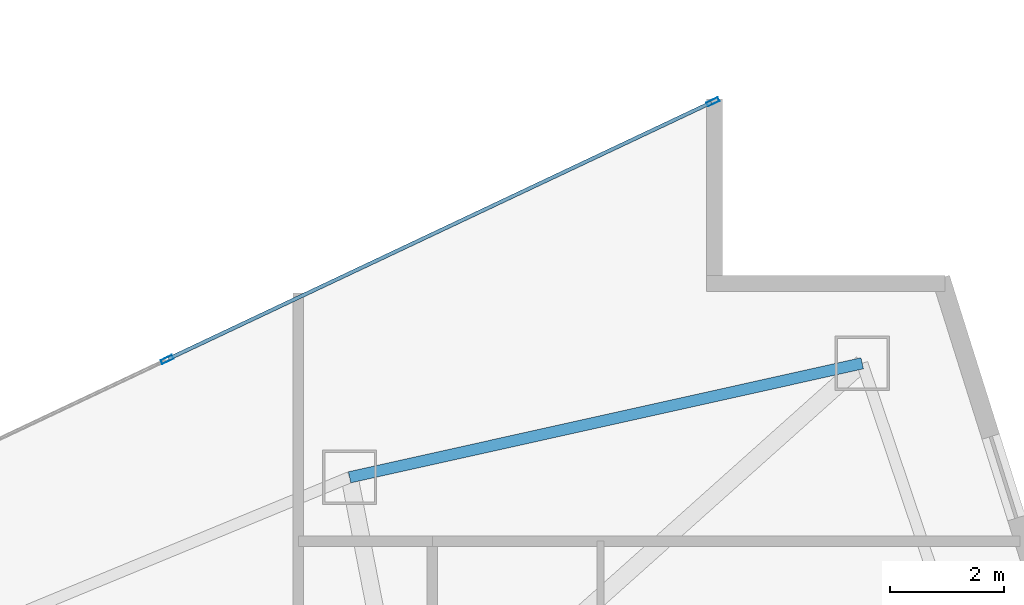
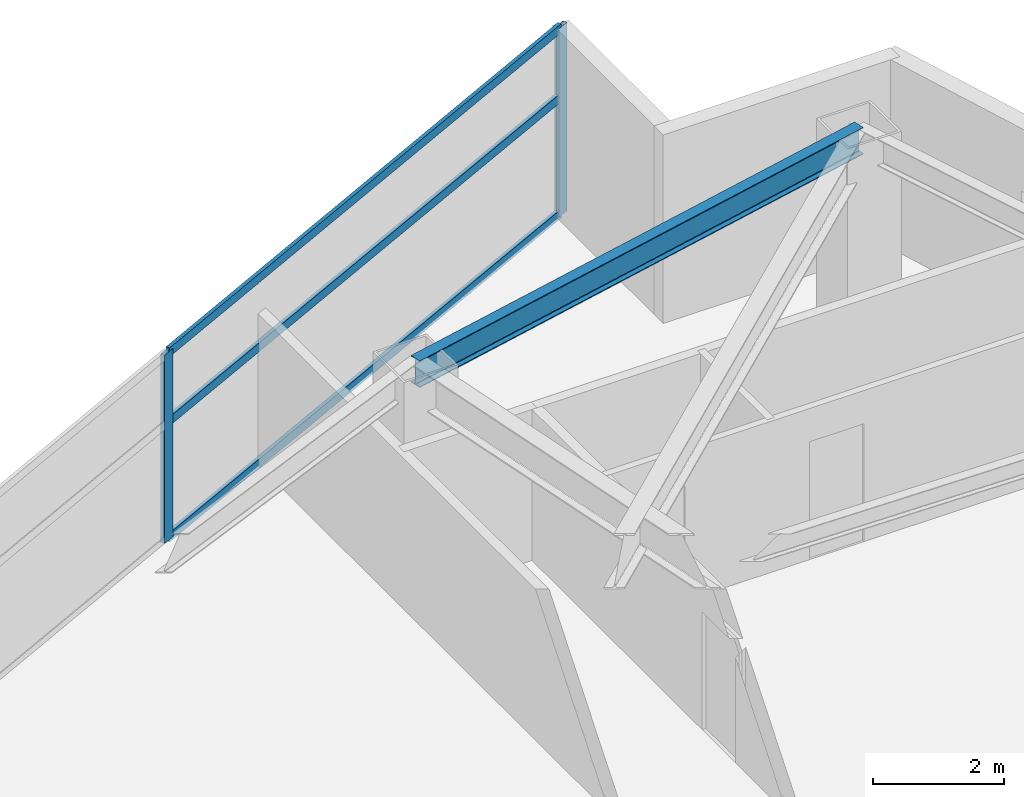
# One storey, part 19 of 28: 5 members, 1 beam, 1 element without a shape of its own.
"""IFC4 building model written with IfcOpenShell, lengths in metres."""

from ifc_helpers import new_model, si_unit, direction, frame, origin, origin_2d, place, context, subcontext, project, spatial, hollow_rectangle, i_section, extrude, material, layer, layer_set, material_profile, profile_set, type_object, element, aggregate, save


model = new_model("IFC4")

# Units and contexts
model_context = context("Model", 3, precision=1e-05, world=origin(), true_north=direction((0.0, 1.0)))
body_context = subcontext(model_context, "Body", "Model", "MODEL_VIEW")
ifc_project = project(units=[si_unit("LENGTHUNIT", "METRE"), si_unit("AREAUNIT", "SQUARE_METRE"), si_unit("VOLUMEUNIT", "CUBIC_METRE"), si_unit("PLANEANGLEUNIT", "RADIAN"), si_unit("MASSUNIT", "GRAM", prefix="KILO")], contexts=[model_context])

# Site, building, storey
site_placement = place(None, origin())
site = spatial("IfcSite", under=ifc_project, at=site_placement, CompositionType="ELEMENT")
building_placement = place(site_placement, origin())
building = spatial("IfcBuilding", under=site, at=building_placement, Name="Calvorn Quay Hotel", CompositionType="ELEMENT")
storey_placement = place(building_placement, frame((0.0, 0.0, 88.800048828125)))
storey = spatial("IfcBuildingStorey", under=building, at=storey_placement, Name="L21", CompositionType="ELEMENT", Elevation=88.800048828125)

# Beam
ifc_material_1 = material(Name="Steel Q355B", Category="steel")
ifc_material_profile_1 = material_profile(ifc_material_1, i_section(OverallWidth=0.199951171875, OverallDepth=0.5, WebThickness=0.010009765625, FlangeThickness=0.01611328125, FilletRadius=0.01611328125, at=origin_2d()), Name="HN500x200x10x16")
ifc_profile_set_1 = profile_set([ifc_material_profile_1], Name="Steel Q355B")
beam_type = type_object("IfcBeamType", Name="BM-SPANDREL-Z1", PredefinedType="SPANDREL", material=ifc_profile_set_1)
beam_placement = place(storey_placement, frame((52.990966796875, 33.39990234375, 3.27001953125), z_axis=(-0.976140886259, -0.217138136156, 0.0), x_axis=(0.217138136156, -0.976140886259, 0.0)))
element("IfcBeam", 1, at=beam_placement, inside=storey, type_object=beam_type, Name="Beam BSP-L21-E3", PredefinedType="SPANDREL", context=body_context, shape_type="SweptSolid", body=[
    extrude(i_section(OverallWidth=0.199951171875, OverallDepth=0.5, WebThickness=0.010009765625, FlangeThickness=0.01611328125, FilletRadius=0.01611328125, at=origin_2d()), origin(), (0.0, 0.0, 1.0), 9.210693359375),
])

# Curtain wall, members
ifc_material_2 = material(Name="Pale Anodised Aluminium and Low-E Glass", Category="aluminium")
ifc_layer = layer(ifc_material_2, 0.219970703125)
ifc_layer_set = layer_set([ifc_layer], Name="CW-SYS-Z1")
curtain_wall_type = type_object("IfcCurtainWallType", Name="CW-SYS-Z1", PredefinedType="NOTDEFINED", material=ifc_layer_set)
curtain_wall_placement = place(storey_placement, origin())
curtain_wall = element("IfcCurtainWall", 2, at=curtain_wall_placement, inside=storey, type_object=curtain_wall_type, Name="Inner Court Curtain Wall L21-NE1", PredefinedType="NOTDEFINED")
ifc_material_3 = material(Name="Pale Anodised Aluminium 6063-T6", Category="aluminium")
ifc_material_profile_2 = material_profile(ifc_material_3, hollow_rectangle(XDim=0.074951171875, YDim=0.219970703125, WallThickness=0.00439453125, at=origin_2d()), Name="ALU-M220x75x4.5")
ifc_profile_set_2 = profile_set([ifc_material_profile_2], Name="Pale Anodised Aluminium 6063-T6")
member_type_1 = type_object("IfcMemberType", Name="CW-SYS-Z1-MUL", PredefinedType="MULLION", material=ifc_profile_set_2)
member_1_placement = place(storey_placement, frame((50.372802734375, 37.9873046875, 0.0), z_axis=(0.0, 0.0, 1.0), x_axis=(0.427006305415, -0.904248646743, 0.0)))
member_1 = element("IfcMember", 3, at=member_1_placement, type_object=member_type_1, Name="CW-L21-NE1 mullion 1", PredefinedType="MULLION", context=body_context, shape_type="SweptSolid", body=[
    extrude(hollow_rectangle(XDim=0.074951171875, YDim=0.219970703125, WallThickness=0.00439453125, at=origin_2d()), origin(), (0.0, 0.0, 1.0), 3.52001953125),
])
member_2_placement = place(storey_placement, frame((40.800048828125, 33.466552734375, 0.0), z_axis=(0.0, 0.0, 1.0), x_axis=(0.427006305415, -0.904248646743, 0.0)))
member_2 = element("IfcMember", 4, at=member_2_placement, type_object=member_type_1, Name="CW-L21-NE1 mullion 2", PredefinedType="MULLION", context=body_context, shape_type="SweptSolid", body=[
    extrude(hollow_rectangle(XDim=0.074951171875, YDim=0.219970703125, WallThickness=0.00439453125, at=origin_2d()), origin(), (0.0, 0.0, 1.0), 3.52001953125),
])
ifc_material_4 = material(Name="Pale Anodised Aluminium 6063-T6", Category="aluminium")
ifc_material_profile_3 = material_profile(ifc_material_4, hollow_rectangle(XDim=0.06494140625, YDim=0.1650390625, WallThickness=0.00341796875, at=origin_2d()), Name="ALU-T165x65x3.5")
ifc_profile_set_3 = profile_set([ifc_material_profile_3], Name="Pale Anodised Aluminium 6063-T6")
member_type_2 = type_object("IfcMemberType", Name="CW-SYS-Z1-TRN", PredefinedType="USERDEFINED", material=ifc_profile_set_3)
member_3_placement = place(storey_placement, frame((50.345703125, 37.974365234375, 0.030029296875), z_axis=(-0.904248646746, -0.427006305408, 0.0), x_axis=(0.427006305408, -0.904248646746, 0.0)))
member_3 = element("IfcMember", 5, at=member_3_placement, type_object=member_type_2, Name="CW-L21-NE1 transom 1.1", ObjectType="TRANSOM", PredefinedType="USERDEFINED", context=body_context, shape_type="SweptSolid", body=[
    extrude(hollow_rectangle(XDim=0.06494140625, YDim=0.1650390625, WallThickness=0.00341796875, at=origin_2d()), origin(), (0.0, 0.0, 1.0), 10.5263671875),
])
member_4_placement = place(storey_placement, frame((50.345703125, 37.974365234375, 2.199951171875), z_axis=(-0.904248646746, -0.427006305408, 0.0), x_axis=(0.427006305408, -0.904248646746, 0.0)))
member_4 = element("IfcMember", 6, at=member_4_placement, type_object=member_type_2, Name="CW-L21-NE1 transom 1.2", ObjectType="TRANSOM", PredefinedType="USERDEFINED", context=body_context, shape_type="SweptSolid", body=[
    extrude(hollow_rectangle(XDim=0.06494140625, YDim=0.1650390625, WallThickness=0.00341796875, at=origin_2d()), origin(), (0.0, 0.0, 1.0), 10.5263671875),
])
member_5_placement = place(storey_placement, frame((50.345703125, 37.974365234375, 3.489990234375), z_axis=(-0.904248646746, -0.427006305408, 0.0), x_axis=(0.427006305408, -0.904248646746, 0.0)))
member_5 = element("IfcMember", 7, at=member_5_placement, type_object=member_type_2, Name="CW-L21-NE1 transom 1.3", ObjectType="TRANSOM", PredefinedType="USERDEFINED", context=body_context, shape_type="SweptSolid", body=[
    extrude(hollow_rectangle(XDim=0.06494140625, YDim=0.1650390625, WallThickness=0.00341796875, at=origin_2d()), origin(), (0.0, 0.0, 1.0), 10.5263671875),
])
aggregate(curtain_wall, [member_1, member_2, member_3, member_4, member_5])

save(model, "model.ifc")
